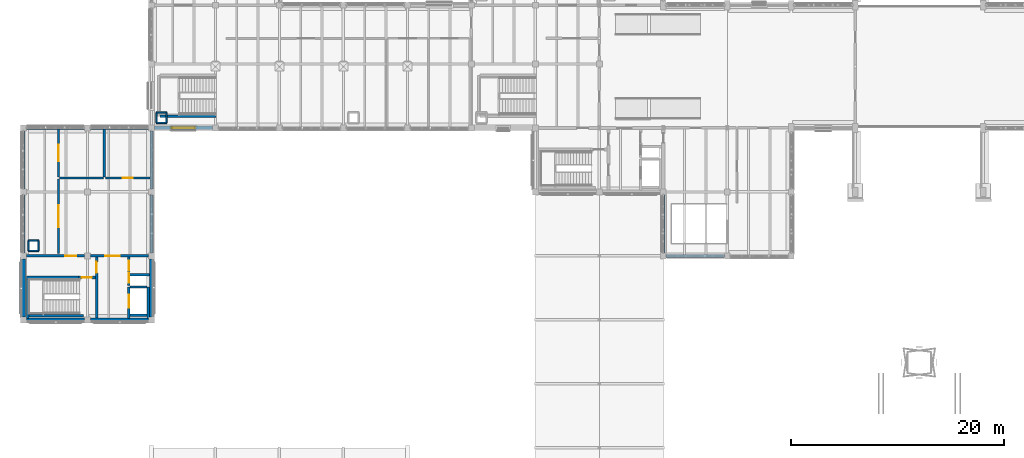
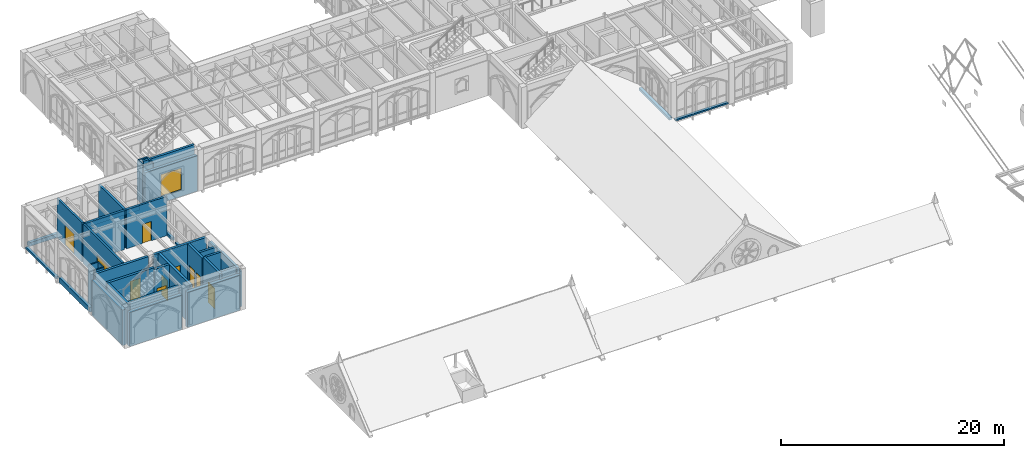
# One storey, part 74 of 108: 40 walls, 10 doors, 1 window, 11 openings.
"""IFC4 building model written with IfcOpenShell, lengths in metres."""

import ifcopenshell
import ifcopenshell.guid

model = None  # the IFC model being written
_history = None  # IfcOwnerHistory: only IFC2X3 demands one
_inside = {}  # id of a spatial element -> (the spatial element, [elements in it])
_under = {}  # id of a project, library or spatial element -> (it, [spatial elements below it])
_declared = {}  # id of a project -> (the project, [libraries it declares])
_typed = {}  # id of a type object -> (the type object, [elements of that type])
_made_of = {}  # id of a material, layer set ... -> (it, [elements and type objects made of it])


def new_model(schema):
    """Start an empty IFC model of exactly this schema.

    Asked for "IFC4X3", IfcOpenShell would pick the latest addendum, in which some entities
    have other attributes; the version numbers below select the first issue.
    IFC2X3 requires an IfcOwnerHistory on every rooted entity: one is made here for all.
    """
    global model, _history
    if schema == "IFC4X3":
        model = ifcopenshell.file(schema_version=(4, 3, 0, 0))
    else:
        model = ifcopenshell.file(schema=schema)
    _inside.clear()
    _under.clear()
    _declared.clear()
    _typed.clear()
    _made_of.clear()
    _history = None
    if model.schema == "IFC2X3":
        org = make("IfcOrganization", Name="unknown")
        user = make(
            "IfcPersonAndOrganization",
            ThePerson=make("IfcPerson", FamilyName="unknown"),
            TheOrganization=org,
        )
        app = make(
            "IfcApplication",
            ApplicationDeveloper=org,
            Version="unknown",
            ApplicationFullName="unknown",
            ApplicationIdentifier="unknown",
        )
        _history = make(
            "IfcOwnerHistory",
            OwningUser=user,
            OwningApplication=app,
            ChangeAction="ADDED",
            CreationDate=0,
        )
    return model


def make(cls, **values):
    """One entity of the class cls with the attributes given. An attribute that is None is left unset."""
    return model.create_entity(
        cls, **{name: value for name, value in values.items() if value is not None}
    )


def rooted(cls, **values):
    """An entity with a GlobalId (a new one), such as an element, a storey or a relation."""
    return make(cls, GlobalId=ifcopenshell.guid.new(), OwnerHistory=_history, **values)


def si_unit(unit_type, name, prefix=None):
    """IfcSIUnit, for example si_unit("LENGTHUNIT", "METRE", prefix="MILLI")."""
    return make("IfcSIUnit", UnitType=unit_type, Prefix=prefix, Name=name)


def assignment(units):
    """IfcUnitAssignment: the units of a project."""
    return None if units is None else make("IfcUnitAssignment", Units=units)


def point(xyz):
    """IfcCartesianPoint."""
    return None if xyz is None else make("IfcCartesianPoint", Coordinates=xyz)


def direction(xyz):
    """IfcDirection."""
    return None if xyz is None else make("IfcDirection", DirectionRatios=xyz)


def frame(location, z_axis=None, x_axis=None):
    """IfcAxis2Placement3D, a coordinate frame: its origin and axes. An axis left out is left unset."""
    return make(
        "IfcAxis2Placement3D",
        Location=point(location),
        Axis=direction(z_axis),
        RefDirection=direction(x_axis),
    )


def frame_2d(location, x_axis=None):
    """IfcAxis2Placement2D, a coordinate frame in the plane: its origin and x axis."""
    return make(
        "IfcAxis2Placement2D", Location=point(location), RefDirection=direction(x_axis)
    )


def origin():
    """The frame at (0, 0, 0) with its axes left unset."""
    return frame((0.0, 0.0, 0.0))


def place(relative_to, where):
    """IfcLocalPlacement: puts the frame where relative to a parent placement (None: the world)."""
    return make(
        "IfcLocalPlacement", PlacementRelTo=relative_to, RelativePlacement=where
    )


def context(
    kind, dimensions, precision=None, world=None, true_north=None, identifier=None
):
    """IfcGeometricRepresentationContext, for example the 3D "Model" context."""
    return make(
        "IfcGeometricRepresentationContext",
        ContextIdentifier=identifier,
        ContextType=kind,
        CoordinateSpaceDimension=dimensions,
        Precision=precision,
        WorldCoordinateSystem=world,
        TrueNorth=true_north,
    )


def subcontext(parent, identifier, kind, view, scale=None):
    """IfcGeometricRepresentationSubContext, for example "Body" below "Model"."""
    return make(
        "IfcGeometricRepresentationSubContext",
        ContextIdentifier=identifier,
        ContextType=kind,
        ParentContext=parent,
        TargetScale=scale,
        TargetView=view,
    )


def project(units=None, contexts=None):
    """IfcProject with its units and contexts."""
    return rooted(
        "IfcProject",
        Name="project",
        RepresentationContexts=contexts,
        UnitsInContext=assignment(units),
    )


def spatial(cls, under=None, at=None, **own):
    """A site, building, storey or space (cls), placed at a placement, below another one or the project."""
    s = rooted(cls, ObjectPlacement=at, **own)
    if under is not None:
        _under.setdefault(under.id(), (under, []))[1].append(s)
    return s


def profile(cls, at=None, kind="AREA", **sizes):
    """A parametric profile (cls). Its sizes go by their IFC names, for example OverallWidth=200.0."""
    return make(cls, ProfileType=kind, Position=at, **sizes)


def rectangle(**sizes):
    """IfcRectangleProfileDef."""
    return profile("IfcRectangleProfileDef", **sizes)


def extrude(swept, where, along, depth):
    """IfcExtrudedAreaSolid: the profile swept, set in the frame where, extruded along a direction by depth."""
    return make(
        "IfcExtrudedAreaSolid",
        SweptArea=swept,
        Position=where,
        ExtrudedDirection=direction(along),
        Depth=depth,
    )


def shape(context_of_items, identifier, shape_type, items):
    """IfcShapeRepresentation: the items that make up one representation, for example the "Body"."""
    return make(
        "IfcShapeRepresentation",
        ContextOfItems=context_of_items,
        RepresentationIdentifier=identifier,
        RepresentationType=shape_type,
        Items=items,
    )


def material(Name=None, Category=None):
    """IfcMaterial."""
    return make("IfcMaterial", Name=Name, Category=Category)


def layer(
    of_material, thickness, ventilated=None, Name=None, Category=None, Priority=None
):
    """IfcMaterialLayer: one layer of a wall or slab, of a material (None: an air gap)."""
    return make(
        "IfcMaterialLayer",
        Material=of_material,
        LayerThickness=thickness,
        IsVentilated=ventilated,
        Name=Name,
        Category=Category,
        Priority=Priority,
    )


def layer_set(layers, Name=None):
    """IfcMaterialLayerSet."""
    return make("IfcMaterialLayerSet", MaterialLayers=layers, LayerSetName=Name)


def made_of(thing, what):
    """Note that an element or type object is made of a material, layer set ...; save() writes the relation."""
    if what is not None:
        _made_of.setdefault(what.id(), (what, []))[1].append(thing)
    return thing


def type_object(cls, material=None, **own):
    """A type object (cls), such as IfcWallType, which elements share."""
    return made_of(rooted(cls, **own), material)


def element(
    cls,
    number,
    at=None,
    inside=None,
    cuts=None,
    type_object=None,
    material=None,
    context=None,
    identifier="Body",
    shape_type=None,
    held_by="IfcProductDefinitionShape",
    body=None,
    shapes=None,
    **own,
):
    """One element of the class cls, such as IfcWall. Its Tag is "e" and its number.

    at: its placement. inside: the storey or other place that contains it. cuts: it is an
    opening in that element (IfcRelVoidsElement). A single representation is given by context,
    identifier, shape_type and body (its items); several are given by shapes. held_by: the class
    of the entity that holds the representations. save() writes the other relations.
    """
    e = rooted(cls, Tag="e%d" % number, ObjectPlacement=at, **own)
    if body is not None:
        shapes = [shape(context, identifier, shape_type, body)]
    if shapes is not None:
        e.Representation = make(held_by, Representations=shapes)
    if inside is not None:
        _inside.setdefault(inside.id(), (inside, []))[1].append(e)
    if cuts is not None:
        rooted(
            "IfcRelVoidsElement", RelatingBuildingElement=cuts, RelatedOpeningElement=e
        )
    if type_object is not None:
        _typed.setdefault(type_object.id(), (type_object, []))[1].append(e)
    return made_of(e, material)


def fill(opening, filler):
    """IfcRelFillsElement: the door or window that sits in an opening."""
    return rooted(
        "IfcRelFillsElement",
        RelatingOpeningElement=opening,
        RelatedBuildingElement=filler,
    )


def aggregate(whole, parts):
    """IfcRelAggregates: a whole, such as a stair, and the parts it consists of."""
    return rooted("IfcRelAggregates", RelatingObject=whole, RelatedObjects=parts)


def save(model, path):
    """Write the relations noted so far, then the file.

    IfcRelAggregates (storeys below a building ...), IfcRelContainedInSpatialStructure (elements
    in a storey), IfcRelDefinesByType, IfcRelAssociatesMaterial and IfcRelDeclares: one each for
    every whole, place, type object, material and project.
    """
    for whole, parts in _under.values():
        aggregate(whole, parts)
    for where, things in _inside.values():
        rooted(
            "IfcRelContainedInSpatialStructure",
            RelatedElements=things,
            RelatingStructure=where,
        )
    for kind, things in _typed.values():
        rooted("IfcRelDefinesByType", RelatedObjects=things, RelatingType=kind)
    for what, things in _made_of.values():
        rooted("IfcRelAssociatesMaterial", RelatedObjects=things, RelatingMaterial=what)
    for by, libraries in _declared.values():
        rooted("IfcRelDeclares", RelatingContext=by, RelatedDefinitions=libraries)
    model.write(path)


model = new_model("IFC4")

# Units and contexts
model_context = context("Model", 3, precision=1e-05, world=origin(), true_north=direction((0.0, 1.0)))
body_context = subcontext(model_context, "Body", "Model", "MODEL_VIEW")
ifc_project = project(units=[si_unit("LENGTHUNIT", "METRE"), si_unit("AREAUNIT", "SQUARE_METRE"), si_unit("VOLUMEUNIT", "CUBIC_METRE"), si_unit("PLANEANGLEUNIT", "RADIAN"), si_unit("MASSUNIT", "GRAM", prefix="KILO")], contexts=[model_context])

# Site, building, storey
site_placement = place(None, origin())
site = spatial("IfcSite", under=ifc_project, at=site_placement, CompositionType="ELEMENT")
building_placement = place(site_placement, origin())
building = spatial("IfcBuilding", under=site, at=building_placement, Name="Cumevento Cable Car Station", CompositionType="ELEMENT")
storey_placement = place(building_placement, frame((0.0, 0.0, 13.5)))
storey = spatial("IfcBuildingStorey", under=building, at=storey_placement, Name="L04", CompositionType="ELEMENT", Elevation=13.5)

# Walls
ifc_material_1 = material(Name="Gnaisse Facoidal Stone Ashlar 85 MPa", Category="masonry")
ifc_layer_1 = layer(ifc_material_1, 0.294921875)
ifc_layer_set_1 = layer_set([ifc_layer_1], Name="Gnaisse Facoidal Stone Ashlar 85 MPa")
wall_type_1 = type_object("IfcWallType", Name="Exterior Envelope Wall EW-295 295", PredefinedType="SOLIDWALL", material=ifc_layer_set_1)
wall_1_placement = place(storey_placement, frame((75.72509765625, 33.0, 0.0), z_axis=(0.0, 0.0, 1.0), x_axis=(-1.0, 0.0, 0.0)))
element("IfcWall", 1, at=wall_1_placement, inside=storey, type_object=wall_type_1, Name="Exterior Sill Curb Wall EW-295 L04 #300", PredefinedType="SOLIDWALL", context=body_context, shape_type="SweptSolid", body=[
    extrude(rectangle(XDim=5.4501953125, YDim=0.294921875, at=frame_2d((2.72509765625, 0.0))), origin(), (0.0, 0.0, 1.0), 0.159912109375),
])
wall_2_placement = place(storey_placement, frame((70.0, 33.27490234375, 0.0), z_axis=(0.0, 0.0, 1.0), x_axis=(0.0, 1.0, 0.0)))
element("IfcWall", 2, at=wall_2_placement, inside=storey, type_object=wall_type_1, Name="Exterior Sill Curb Wall EW-295 L04 #302", PredefinedType="SOLIDWALL", context=body_context, shape_type="SweptSolid", body=[
    extrude(rectangle(XDim=5.4501953125, YDim=0.294921875, at=frame_2d((2.72509765625, 0.0))), origin(), (0.0, 0.0, 1.0), 0.260009765625),
])
wall_3_placement = place(storey_placement, frame((10.27490234375, 45.0, 0.0), z_axis=(0.0, 0.0, 1.0), x_axis=(1.0, 0.0, 0.0)))
element("IfcWall", 3, at=wall_3_placement, inside=storey, type_object=wall_type_1, Name="Exterior Sill Curb Wall EW-295 L04 #309", PredefinedType="SOLIDWALL", context=body_context, shape_type="SweptSolid", body=[
    extrude(rectangle(XDim=5.4501953125, YDim=0.294921875, at=frame_2d((2.72509765625, 0.0))), origin(), (0.0, 0.0, 1.0), 0.409912109375),
])
wall_4_placement = place(storey_placement, frame((16.27490234375, 45.0, 0.0), z_axis=(0.0, 0.0, 1.0), x_axis=(1.0, 0.0, 0.0)))
element("IfcWall", 4, at=wall_4_placement, inside=storey, type_object=wall_type_1, Name="Exterior Sill Curb Wall EW-295 L04 #310", PredefinedType="SOLIDWALL", context=body_context, shape_type="SweptSolid", body=[
    extrude(rectangle(XDim=5.4501953125, YDim=0.294921875, at=frame_2d((2.72509765625, 0.0))), origin(), (0.0, 0.0, 1.0), 0.4599609375),
])
wall_5_placement = place(storey_placement, frame((10.0, 33.27490234375, 0.0), z_axis=(0.0, 0.0, 1.0), x_axis=(0.0, 1.0, 0.0)))
element("IfcWall", 5, at=wall_5_placement, inside=storey, type_object=wall_type_1, Name="Exterior Sill Curb Wall EW-295 L04 #311", PredefinedType="SOLIDWALL", context=body_context, shape_type="SweptSolid", body=[
    extrude(rectangle(XDim=5.4501953125, YDim=0.294921875, at=frame_2d((2.72509765625, 0.0))), origin(), (0.0, 0.0, 1.0), 0.52001953125),
])
wall_6_placement = place(storey_placement, frame((22.0, 38.72509765625, 0.0), z_axis=(0.0, 0.0, 1.0), x_axis=(0.0, -1.0, 0.0)))
element("IfcWall", 6, at=wall_6_placement, inside=storey, type_object=wall_type_1, Name="Exterior Sill Curb Wall EW-295 L04 #312", PredefinedType="SOLIDWALL", context=body_context, shape_type="SweptSolid", body=[
    extrude(rectangle(XDim=5.4501953125, YDim=0.294921875, at=frame_2d((2.72509765625, 0.0))), origin(), (0.0, 0.0, 1.0), 0.159912109375),
])
wall_7_placement = place(storey_placement, frame((10.0, 39.27490234375, 0.0), z_axis=(0.0, 0.0, 1.0), x_axis=(0.0, 1.0, 0.0)))
element("IfcWall", 7, at=wall_7_placement, inside=storey, type_object=wall_type_1, Name="Exterior Sill Curb Wall EW-295 L04 #313", PredefinedType="SOLIDWALL", context=body_context, shape_type="SweptSolid", body=[
    extrude(rectangle(XDim=5.4501953125, YDim=0.294921875, at=frame_2d((2.72509765625, 0.0))), origin(), (0.0, 0.0, 1.0), 0.2099609375),
])
wall_8_placement = place(storey_placement, frame((22.0, 44.72509765625, 0.0), z_axis=(0.0, 0.0, 1.0), x_axis=(0.0, -1.0, 0.0)))
element("IfcWall", 8, at=wall_8_placement, inside=storey, type_object=wall_type_1, Name="Exterior Sill Curb Wall EW-295 L04 #314", PredefinedType="SOLIDWALL", context=body_context, shape_type="SweptSolid", body=[
    extrude(rectangle(XDim=5.4501953125, YDim=0.294921875, at=frame_2d((2.72509765625, 0.0))), origin(), (0.0, 0.0, 1.0), 0.260009765625),
])

# Wall, opening, window
ifc_material_2 = material(Name="Gnaisse Facoidal Stone Ashlar 85 MPa", Category="masonry")
ifc_layer_2 = layer(ifc_material_2, 0.31005859375)
ifc_layer_set_2 = layer_set([ifc_layer_2], Name="Gnaisse Facoidal Stone Ashlar 85 MPa")
wall_type_2 = type_object("IfcWallType", Name="Exterior Envelope Wall EW-310 310", PredefinedType="SOLIDWALL", material=ifc_layer_set_2)
wall_9_placement = place(storey_placement, frame((27.72509765625, 45.0, 0.0), z_axis=(0.0, 0.0, 1.0), x_axis=(-1.0, 0.0, 0.0)))
wall_9 = element("IfcWall", 9, at=wall_9_placement, inside=storey, type_object=wall_type_2, Name="Exterior Wall EW-310 L04 #315", PredefinedType="SOLIDWALL", context=body_context, shape_type="SweptSolid", body=[
    extrude(rectangle(XDim=5.4501953125, YDim=0.31005859375, at=frame_2d((2.72509765625, 0.0))), origin(), (0.0, 0.0, 1.0), 3.881103515625),
])
opening_1_placement = place(wall_9_placement, frame((1.64990234375, 0.0, 0.699951171875)))
opening_1 = element("IfcOpeningElement", 10, at=opening_1_placement, cuts=wall_9, Name="Opening WN-L04-086", PredefinedType="OPENING", context=body_context, shape_type="SweptSolid", body=[
    extrude(rectangle(XDim=2.14990234375, YDim=2.39990234375, at=frame_2d((1.074951171875, 1.199951171875))), frame((0.0, 0.1650390625, 0.0), z_axis=(0.0, -1.0, 0.0), x_axis=(1.0, 0.0, 0.0)), (0.0, 0.0, 1.0), 0.330078125),
])
ifc_material_3 = material(Name="Anodised Bronze Aluminium & Laminated Solar Glass", Category="aluminium")
window_type = type_object("IfcWindowType", Name="Lancet Window WN-14 2150x2400", PartitioningType="DOUBLE_PANEL_VERTICAL", PredefinedType="WINDOW", material=ifc_material_3)
window_placement = place(opening_1_placement, origin())
window = element("IfcWindow", 11, at=window_placement, inside=storey, type_object=window_type, Name="Lancet Window WN-L04-086 (WN-14)", OverallHeight=2.39990234375, OverallWidth=2.14990234375, PartitioningType="SINGLE_PANEL", PredefinedType="WINDOW", context=body_context, shape_type="SweptSolid", body=[
    extrude(rectangle(XDim=2.14990234375, YDim=2.39990234375, at=frame_2d((1.074951171875, 1.199951171875))), frame((0.0, 0.030029296875, 0.0), z_axis=(0.0, -1.0, 0.0), x_axis=(1.0, 0.0, 0.0)), (0.0, 0.0, 1.0), 0.06005859375),
])
fill(opening_1, window)

# Walls
ifc_material_4 = material(Name="Concrete C40/50", Category="concrete")
ifc_layer_3 = layer(ifc_material_4, 0.35498046875)
ifc_layer_set_3 = layer_set([ifc_layer_3], Name="Concrete C40/50")
wall_type_3 = type_object("IfcWallType", Name="Exterior Envelope Wall EW-355 355", PredefinedType="SOLIDWALL", material=ifc_layer_set_3)
wall_10_placement = place(storey_placement, frame((15.72509765625, 27.0, 0.0), z_axis=(0.0, 0.0, 1.0), x_axis=(-1.0, 0.0, 0.0)))
element("IfcWall", 12, at=wall_10_placement, inside=storey, type_object=wall_type_3, Name="Exterior Wall EW-355 L04 #305", PredefinedType="SOLIDWALL", context=body_context, shape_type="SweptSolid", body=[
    extrude(rectangle(XDim=5.4501953125, YDim=0.35498046875, at=frame_2d((2.72509765625, 0.0))), origin(), (0.0, 0.0, 1.0), 3.7490234375),
])
wall_11_placement = place(storey_placement, frame((21.72509765625, 27.0, 0.0), z_axis=(0.0, 0.0, 1.0), x_axis=(-1.0, 0.0, 0.0)))
element("IfcWall", 13, at=wall_11_placement, inside=storey, type_object=wall_type_3, Name="Exterior Wall EW-355 L04 #306", PredefinedType="SOLIDWALL", context=body_context, shape_type="SweptSolid", body=[
    extrude(rectangle(XDim=5.4501953125, YDim=0.35498046875, at=frame_2d((2.72509765625, 0.0))), origin(), (0.0, 0.0, 1.0), 3.8310546875),
])
for number, where, z_axis, x_axis, name in (
    (14, (10.0, 27.27490234375, 0.0), (0.0, 0.0, 1.0), (0.0, 1.0, 0.0), "Exterior Wall EW-355 L04 #307"),
    (15, (22.0, 32.72509765625, 0.0), (0.0, 0.0, 1.0), (0.0, -1.0, 0.0), "Exterior Wall EW-355 L04 #308"),
):
    element("IfcWall", number, at=place(storey_placement, frame(where, z_axis=z_axis, x_axis=x_axis)), inside=storey, type_object=wall_type_3, Name=name, PredefinedType="SOLIDWALL", context=body_context, shape_type="SweptSolid", body=[
        extrude(rectangle(XDim=5.4501953125, YDim=0.35498046875, at=frame_2d((2.72509765625, 0.0))), origin(), (0.0, 0.0, 1.0), 3.881103515625),
    ])
ifc_material_5 = material(Name="Gypsum Board & Insulated Stud Partition", Category="gypsum")
ifc_layer_4 = layer(ifc_material_5, 0.14501953125)
ifc_layer_set_4 = layer_set([ifc_layer_4], Name="Gypsum Board & Insulated Stud Partition")
wall_type_4 = type_object("IfcWallType", Name="Interior Partition PT-145 145", PredefinedType="PARTITIONING", material=ifc_layer_set_4)
for number, where, z_axis, x_axis, name in (
    (16, (10.469970703125, 33.469970703125, 0.0), (0.0, 0.0, 1.0), (1.0, 0.0, 0.0), "Interior Wall PT-145 L04 #41"),
    (17, (11.429931640625, 33.469970703125, 0.0), (0.0, 0.0, 1.0), (0.0, 1.0, 0.0), "Interior Wall PT-145 L04 #42"),
    (18, (11.429931640625, 34.429931640625, 0.0), (0.0, 0.0, 1.0), (-1.0, 0.0, 0.0), "Interior Wall PT-145 L04 #43"),
    (19, (10.469970703125, 34.429931640625, 0.0), (0.0, 0.0, 1.0), (0.0, -1.0, 0.0), "Interior Wall PT-145 L04 #44"),
    (20, (22.469970703125, 45.469970703125, 0.0), (0.0, 0.0, 1.0), (1.0, 0.0, 0.0), "Interior Wall PT-145 L04 #49"),
    (21, (23.429931640625, 45.469970703125, 0.0), (0.0, 0.0, 1.0), (0.0, 1.0, 0.0), "Interior Wall PT-145 L04 #50"),
    (22, (23.429931640625, 46.429931640625, 0.0), (0.0, 0.0, 1.0), (-1.0, 0.0, 0.0), "Interior Wall PT-145 L04 #51"),
    (23, (22.469970703125, 46.429931640625, 0.0), (0.0, 0.0, 1.0), (0.0, -1.0, 0.0), "Interior Wall PT-145 L04 #52"),
):
    element("IfcWall", number, at=place(storey_placement, frame(where, z_axis=z_axis, x_axis=x_axis)), inside=storey, type_object=wall_type_4, Name=name, PredefinedType="PARTITIONING", context=body_context, shape_type="SweptSolid", body=[
        extrude(rectangle(XDim=0.9599609375, YDim=0.14501953125, at=frame_2d((0.47998046875, 0.0))), origin(), (0.0, 0.0, 1.0), 4.2880859375),
    ])

# Wall, opening, door
ifc_material_6 = material(Name="Moisture-Resistant Tile & Stud Partition", Category="gypsum")
ifc_layer_5 = layer(ifc_material_6, 0.18505859375)
ifc_layer_set_5 = layer_set([ifc_layer_5], Name="Moisture-Resistant Tile & Stud Partition")
wall_type_5 = type_object("IfcWallType", Name="Interior Partition PT-185 185", PredefinedType="PARTITIONING", material=ifc_layer_set_5)
wall_12_placement = place(storey_placement, frame((13.300048828125, 33.199951171875, 0.0), z_axis=(0.0, 0.0, 1.0), x_axis=(0.0, 1.0, 0.0)))
wall_12 = element("IfcWall", 24, at=wall_12_placement, inside=storey, type_object=wall_type_5, Name="Interior Wall PT-185 L04 #692", PredefinedType="PARTITIONING", context=body_context, shape_type="SweptSolid", body=[
    extrude(rectangle(XDim=7.0, YDim=0.18505859375, at=frame_2d((3.5, 0.0))), origin(), (0.0, 0.0, 1.0), 4.2880859375),
])
opening_2_placement = place(wall_12_placement, frame((2.4599609375, 0.0, 0.0)))
opening_2 = element("IfcOpeningElement", 25, at=opening_2_placement, cuts=wall_12, Name="Opening DR-L04-278", PredefinedType="OPENING", context=body_context, shape_type="SweptSolid", body=[
    extrude(rectangle(XDim=2.080078125, YDim=2.360107421875, at=frame_2d((1.0400390625, 1.18017578125))), frame((0.0, 0.1025390625, 0.0), z_axis=(0.0, -1.0, 0.0), x_axis=(1.0, 0.0, 0.0)), (0.0, 0.0, 1.0), 0.205078125),
])
ifc_material_7 = material(Name="Anodised Bronze Aluminium Glazed Door", Category="aluminium")
door_type_1 = type_object("IfcDoorType", Name="Interior Door ID-15 2080x2360", OperationType="NOTDEFINED", PredefinedType="DOOR", material=ifc_material_7)
door_1_placement = place(opening_2_placement, origin())
door_1 = element("IfcDoor", 26, at=door_1_placement, inside=storey, type_object=door_type_1, Name="Interior Door DR-L04-278 (ID-15)", OperationType="DOUBLE_DOOR_SINGLE_SWING", OverallHeight=2.360107421875, OverallWidth=2.080078125, PredefinedType="DOOR", context=body_context, shape_type="SweptSolid", body=[
    extrude(rectangle(XDim=2.080078125, YDim=2.360107421875, at=frame_2d((1.0400390625, 1.18017578125))), frame((0.0, 0.02490234375, 0.0), z_axis=(0.0, -1.0, 0.0), x_axis=(1.0, 0.0, 0.0)), (0.0, 0.0, 1.0), 0.050048828125),
])
fill(opening_2, door_1)

ifc_material_8 = material(Name="Acoustic Double-Stud Partition", Category="gypsum")
ifc_layer_6 = layer(ifc_material_8, 0.195068359375)
ifc_layer_set_6 = layer_set([ifc_layer_6], Name="Acoustic Double-Stud Partition")
wall_type_6 = type_object("IfcWallType", Name="Interior Partition PT-195 195", PredefinedType="PARTITIONING", material=ifc_layer_set_6)
wall_13_placement = place(storey_placement, frame((13.300048828125, 40.39990234375, 0.0), z_axis=(0.0, 0.0, 1.0), x_axis=(0.0, 1.0, 0.0)))
wall_13 = element("IfcWall", 27, at=wall_13_placement, inside=storey, type_object=wall_type_6, Name="Interior Wall PT-195 L04 #693", PredefinedType="PARTITIONING", context=body_context, shape_type="SweptSolid", body=[
    extrude(rectangle(XDim=4.503173828125, YDim=0.195068359375, at=frame_2d((2.25146484375, 0.0))), origin(), (0.0, 0.0, 1.0), 4.2880859375),
])
opening_3_placement = place(wall_13_placement, frame((1.46142578125, 0.0, 0.0)))
opening_3 = element("IfcOpeningElement", 28, at=opening_3_placement, cuts=wall_13, Name="Opening DR-L04-279", PredefinedType="OPENING", context=body_context, shape_type="SweptSolid", body=[
    extrude(rectangle(XDim=1.580078125, YDim=2.199951171875, at=frame_2d((0.7900390625, 1.10009765625))), frame((0.0, 0.107666015625, 0.0), z_axis=(0.0, -1.0, 0.0), x_axis=(1.0, 0.0, 0.0)), (0.0, 0.0, 1.0), 0.215087890625),
])
ifc_material_9 = material(Name="Galvanised Painted Steel Fire Door", Category="steel")
door_type_2 = type_object("IfcDoorType", Name="Interior Door FD-06 1580x2200", OperationType="NOTDEFINED", PredefinedType="DOOR", material=ifc_material_9)
door_2_placement = place(opening_3_placement, origin())
door_2 = element("IfcDoor", 29, at=door_2_placement, inside=storey, type_object=door_type_2, Name="Interior Door DR-L04-279 (FD-06)", OperationType="DOUBLE_DOOR_SINGLE_SWING", OverallHeight=2.199951171875, OverallWidth=1.580078125, PredefinedType="DOOR", context=body_context, shape_type="SweptSolid", body=[
    extrude(rectangle(XDim=1.580078125, YDim=2.199951171875, at=frame_2d((0.7900390625, 1.10009765625))), frame((0.0, 0.02490234375, 0.0), z_axis=(0.0, -1.0, 0.0), x_axis=(1.0, 0.0, 0.0)), (0.0, 0.0, 1.0), 0.050048828125),
])
fill(opening_3, door_2)

# Wall
ifc_material_10 = material(Name="Acoustic Double-Stud Partition", Category="gypsum")
ifc_layer_7 = layer(ifc_material_10, 0.205078125)
ifc_layer_set_7 = layer_set([ifc_layer_7], Name="Acoustic Double-Stud Partition")
wall_type_7 = type_object("IfcWallType", Name="Interior Partition PT-205 205", PredefinedType="PARTITIONING", material=ifc_layer_set_7)
wall_14_placement = place(storey_placement, frame((13.39990234375, 40.300048828125, 0.0), z_axis=(0.0, 0.0, 1.0), x_axis=(1.0, 0.0, 0.0)))
element("IfcWall", 30, at=wall_14_placement, inside=storey, type_object=wall_type_7, Name="Interior Wall PT-205 L04 #694", PredefinedType="PARTITIONING", context=body_context, shape_type="SweptSolid", body=[
    extrude(rectangle(XDim=4.10009765625, YDim=0.205078125, at=frame_2d((2.050048828125, 0.0))), origin(), (0.0, 0.0, 1.0), 4.2880859375),
])

# Wall, opening, door
ifc_material_11 = material(Name="Acoustic Double-Stud Partition", Category="gypsum")
ifc_layer_8 = layer(ifc_material_11, 0.218017578125)
ifc_layer_set_8 = layer_set([ifc_layer_8], Name="Acoustic Double-Stud Partition")
wall_type_8 = type_object("IfcWallType", Name="Interior Partition PT-218 218", PredefinedType="PARTITIONING", material=ifc_layer_set_8)
wall_15_placement = place(storey_placement, frame((17.699951171875, 40.300048828125, 0.0), z_axis=(0.0, 0.0, 1.0), x_axis=(1.0, 0.0, 0.0)))
wall_15 = element("IfcWall", 31, at=wall_15_placement, inside=storey, type_object=wall_type_8, Name="Interior Wall PT-218 L04 #695", PredefinedType="PARTITIONING", context=body_context, shape_type="SweptSolid", body=[
    extrude(rectangle(XDim=4.18798828125, YDim=0.218017578125, at=frame_2d((2.093994140625, 0.0))), origin(), (0.0, 0.0, 1.0), 4.2880859375),
])
opening_4_placement = place(wall_15_placement, frame((1.6240234375, 0.0, 0.0)))
opening_4 = element("IfcOpeningElement", 32, at=opening_4_placement, cuts=wall_15, Name="Opening DR-L04-300", PredefinedType="OPENING", context=body_context, shape_type="SweptSolid", body=[
    extrude(rectangle(XDim=0.93994140625, YDim=2.10009765625, at=frame_2d((0.469970703125, 1.050048828125))), frame((0.0, 0.118896484375, 0.0), z_axis=(0.0, -1.0, 0.0), x_axis=(1.0, 0.0, 0.0)), (0.0, 0.0, 1.0), 0.238037109375),
])
ifc_material_12 = material(Name="Galvanised Painted Steel Fire Door", Category="steel")
door_type_3 = type_object("IfcDoorType", Name="Interior Door FD-08 940x2100", OperationType="NOTDEFINED", PredefinedType="DOOR", material=ifc_material_12)
door_3_placement = place(opening_4_placement, origin())
door_3 = element("IfcDoor", 33, at=door_3_placement, inside=storey, type_object=door_type_3, Name="Interior Door DR-L04-300 (FD-08)", OperationType="SINGLE_SWING_LEFT", OverallHeight=2.10009765625, OverallWidth=0.93994140625, PredefinedType="DOOR", context=body_context, shape_type="SweptSolid", body=[
    extrude(rectangle(XDim=0.93994140625, YDim=2.10009765625, at=frame_2d((0.469970703125, 1.050048828125))), frame((0.0, 0.02490234375, 0.0), z_axis=(0.0, -1.0, 0.0), x_axis=(1.0, 0.0, 0.0)), (0.0, 0.0, 1.0), 0.050048828125),
])
fill(opening_4, door_3)

# Walls
ifc_material_13 = material(Name="Acoustic Masonry Block Partition", Category="masonry")
ifc_layer_9 = layer(ifc_material_13, 0.23193359375)
ifc_layer_set_9 = layer_set([ifc_layer_9], Name="Acoustic Masonry Block Partition")
wall_type_9 = type_object("IfcWallType", Name="Interior Partition PT-232 232", PredefinedType="PARTITIONING", material=ifc_layer_set_9)
wall_16_placement = place(storey_placement, frame((17.60009765625, 40.39990234375, 0.0), z_axis=(0.0, 0.0, 1.0), x_axis=(0.0, 1.0, 0.0)))
element("IfcWall", 34, at=wall_16_placement, inside=storey, type_object=wall_type_9, Name="Interior Wall PT-232 L04 #696", PredefinedType="PARTITIONING", context=body_context, shape_type="SweptSolid", body=[
    extrude(rectangle(XDim=4.5, YDim=0.23193359375, at=frame_2d((2.25, 0.0))), origin(), (0.0, 0.0, 1.0), 4.2880859375),
])
ifc_material_14 = material(Name="Concrete C40/50", Category="concrete")
ifc_layer_10 = layer(ifc_material_14, 0.22998046875)
ifc_layer_set_10 = layer_set([ifc_layer_10], Name="Concrete C40/50")
wall_type_10 = type_object("IfcWallType", Name="Interior Shear Wall CW-230 230", PredefinedType="SHEAR", material=ifc_layer_set_10)
wall_17_placement = place(storey_placement, frame((10.405029296875, 27.114990234375, 0.0), z_axis=(0.0, 0.0, 1.0), x_axis=(0.0, 1.0, 0.0)))
element("IfcWall", 35, at=wall_17_placement, inside=storey, type_object=wall_type_10, Name="Interior Wall CW-230 L04 #314", PredefinedType="SHEAR", context=body_context, shape_type="SweptSolid", body=[
    extrude(rectangle(XDim=3.735107421875, YDim=0.22998046875, at=frame_2d((1.86767578125, 0.0))), origin(), (0.0, 0.0, 1.0), 4.5),
])
wall_18_placement = place(storey_placement, frame((10.52001953125, 27.405029296875, 0.0), z_axis=(0.0, 0.0, 1.0), x_axis=(1.0, 0.0, 0.0)))
element("IfcWall", 36, at=wall_18_placement, inside=storey, type_object=wall_type_10, Name="Interior Wall CW-230 L04 #315", PredefinedType="SHEAR", context=body_context, shape_type="SweptSolid", body=[
    extrude(rectangle(XDim=5.1298828125, YDim=0.22998046875, at=frame_2d((2.56494140625, 0.0))), origin(), (0.0, 0.0, 1.0), 4.5),
])
wall_19_placement = place(storey_placement, frame((20.0048828125, 27.419921875, 0.0), z_axis=(0.0, 0.0, 1.0), x_axis=(1.0, 0.0, 0.0)))
element("IfcWall", 37, at=wall_19_placement, inside=storey, type_object=wall_type_10, Name="Interior Wall CW-230 L04 #320", PredefinedType="SHEAR", context=body_context, shape_type="SweptSolid", body=[
    extrude(rectangle(XDim=1.580078125, YDim=0.22998046875, at=frame_2d((0.7900390625, 0.0))), origin(), (0.0, 0.0, 1.0), 4.5),
])
wall_20_placement = place(storey_placement, frame((21.699951171875, 27.114990234375, 0.0), z_axis=(0.0, 0.0, 1.0), x_axis=(0.0, 1.0, 0.0)))
element("IfcWall", 38, at=wall_20_placement, inside=storey, type_object=wall_type_10, Name="Interior Wall CW-230 L04 #321", PredefinedType="SHEAR", context=body_context, shape_type="SweptSolid", body=[
    extrude(rectangle(XDim=2.965087890625, YDim=0.22998046875, at=frame_2d((1.482421875, 0.0))), origin(), (0.0, 0.0, 1.0), 4.5),
])
wall_21_placement = place(storey_placement, frame((20.0048828125, 30.080078125, 0.0), z_axis=(0.0, 0.0, 1.0), x_axis=(1.0, 0.0, 0.0)))
element("IfcWall", 39, at=wall_21_placement, inside=storey, type_object=wall_type_10, Name="Interior Wall CW-230 L04 #322", PredefinedType="SHEAR", context=body_context, shape_type="SweptSolid", body=[
    extrude(rectangle(XDim=1.580078125, YDim=0.22998046875, at=frame_2d((0.7900390625, 0.0))), origin(), (0.0, 0.0, 1.0), 4.5),
])
wall_22_placement = place(storey_placement, frame((20.0048828125, 31.219970703125, 0.0), z_axis=(0.0, 0.0, 1.0), x_axis=(1.0, 0.0, 0.0)))
element("IfcWall", 40, at=wall_22_placement, inside=storey, type_object=wall_type_10, Name="Interior Wall CW-230 L04 #324", PredefinedType="SHEAR", context=body_context, shape_type="SweptSolid", body=[
    extrude(rectangle(XDim=1.820068359375, YDim=0.22998046875, at=frame_2d((0.91015625, 0.0))), origin(), (0.0, 0.0, 1.0), 4.2880859375),
])
wall_23_placement = place(storey_placement, frame((22.800048828125, 46.080078125, 0.0), z_axis=(0.0, 0.0, 1.0), x_axis=(1.0, 0.0, 0.0)))
element("IfcWall", 41, at=wall_23_placement, inside=storey, type_object=wall_type_10, Name="Interior Wall CW-230 L04 #540", PredefinedType="SHEAR", context=body_context, shape_type="SweptSolid", body=[
    extrude(rectangle(XDim=5.239990234375, YDim=0.22998046875, at=frame_2d((2.6201171875, 0.0))), origin(), (0.0, 0.0, 1.0), 4.2880859375),
])

# Wall, opening, door
ifc_material_15 = material(Name="Concrete C40/50", Category="concrete")
ifc_layer_11 = layer(ifc_material_15, 0.25)
ifc_layer_set_11 = layer_set([ifc_layer_11], Name="Concrete C40/50")
wall_type_11 = type_object("IfcWallType", Name="Interior Shear Wall CW-250 250", PredefinedType="SHEAR", material=ifc_layer_set_11)
wall_24_placement = place(storey_placement, frame((10.27490234375, 33.0, 0.0), z_axis=(0.0, 0.0, 1.0), x_axis=(1.0, 0.0, 0.0)))
wall_24 = element("IfcWall", 42, at=wall_24_placement, inside=storey, type_object=wall_type_11, Name="Interior Wall CW-250 L04 #312", PredefinedType="SHEAR", context=body_context, shape_type="SweptSolid", body=[
    extrude(rectangle(XDim=5.4501953125, YDim=0.25, at=frame_2d((2.72509765625, 0.0))), origin(), (0.0, 0.0, 1.0), 4.2880859375),
])
opening_5_placement = place(wall_24_placement, frame((3.655029296875, 0.0, 0.0)))
opening_5 = element("IfcOpeningElement", 43, at=opening_5_placement, cuts=wall_24, Name="Opening DR-L04-086", PredefinedType="OPENING", context=body_context, shape_type="SweptSolid", body=[
    extrude(rectangle(XDim=1.0400390625, YDim=2.139892578125, at=frame_2d((0.52001953125, 1.06982421875))), frame((0.0, 0.135009765625, 0.0), z_axis=(0.0, -1.0, 0.0), x_axis=(1.0, 0.0, 0.0)), (0.0, 0.0, 1.0), 0.27001953125),
])
ifc_material_16 = material(Name="Galvanised Painted Steel Fire Door", Category="steel")
door_type_4 = type_object("IfcDoorType", Name="Interior Door FD-02 1040x2140", OperationType="NOTDEFINED", PredefinedType="DOOR", material=ifc_material_16)
door_4_placement = place(opening_5_placement, origin())
door_4 = element("IfcDoor", 44, at=door_4_placement, inside=storey, type_object=door_type_4, Name="Core CORE3 N_vest Fire Door L04", OperationType="SINGLE_SWING_RIGHT", OverallHeight=2.139892578125, OverallWidth=1.0400390625, PredefinedType="DOOR", context=body_context, shape_type="SweptSolid", body=[
    extrude(rectangle(XDim=1.0400390625, YDim=2.139892578125, at=frame_2d((0.52001953125, 1.06982421875))), frame((0.0, 0.02490234375, 0.0), z_axis=(0.0, -1.0, 0.0), x_axis=(1.0, 0.0, 0.0)), (0.0, 0.0, 1.0), 0.050048828125),
])
fill(opening_5, door_4)

wall_25_placement = place(storey_placement, frame((16.27490234375, 33.0, 0.0), z_axis=(0.0, 0.0, 1.0), x_axis=(1.0, 0.0, 0.0)))
wall_25 = element("IfcWall", 45, at=wall_25_placement, inside=storey, type_object=wall_type_11, Name="Interior Wall CW-250 L04 #313", PredefinedType="SHEAR", context=body_context, shape_type="SweptSolid", body=[
    extrude(rectangle(XDim=5.4501953125, YDim=0.25, at=frame_2d((2.72509765625, 0.0))), origin(), (0.0, 0.0, 1.0), 4.2880859375),
])
opening_6_placement = place(wall_25_placement, frame((1.385009765625, 0.0, 0.0)))
opening_6 = element("IfcOpeningElement", 46, at=opening_6_placement, cuts=wall_25, Name="Opening DR-L04-087", PredefinedType="OPENING", context=body_context, shape_type="SweptSolid", body=[
    extrude(rectangle(XDim=1.3798828125, YDim=2.159912109375, at=frame_2d((0.68994140625, 1.080078125))), frame((0.0, 0.135009765625, 0.0), z_axis=(0.0, -1.0, 0.0), x_axis=(1.0, 0.0, 0.0)), (0.0, 0.0, 1.0), 0.27001953125),
])
ifc_material_17 = material(Name="Galvanised Painted Steel Fire Door", Category="steel")
door_type_5 = type_object("IfcDoorType", Name="Interior Door FD-04 1380x2160", OperationType="NOTDEFINED", PredefinedType="DOOR", material=ifc_material_17)
door_5_placement = place(opening_6_placement, origin())
door_5 = element("IfcDoor", 47, at=door_5_placement, inside=storey, type_object=door_type_5, Name="Core CORE3 N_lobby Fire Door L04", OperationType="DOUBLE_DOOR_SINGLE_SWING", OverallHeight=2.159912109375, OverallWidth=1.3798828125, PredefinedType="DOOR", context=body_context, shape_type="SweptSolid", body=[
    extrude(rectangle(XDim=1.3798828125, YDim=2.159912109375, at=frame_2d((0.68994140625, 1.080078125))), frame((0.0, 0.02490234375, 0.0), z_axis=(0.0, -1.0, 0.0), x_axis=(1.0, 0.0, 0.0)), (0.0, 0.0, 1.0), 0.050048828125),
])
fill(opening_6, door_5)

# Wall
wall_26_placement = place(storey_placement, frame((10.2900390625, 30.97509765625, 0.0), z_axis=(0.0, 0.0, 1.0), x_axis=(1.0, 0.0, 0.0)))
element("IfcWall", 48, at=wall_26_placement, inside=storey, type_object=wall_type_11, Name="Interior Wall CW-250 L04 #316", PredefinedType="SHEAR", context=body_context, shape_type="SweptSolid", body=[
    extrude(rectangle(XDim=4.869873046875, YDim=0.25, at=frame_2d((2.43505859375, 0.0))), origin(), (0.0, 0.0, 1.0), 4.5),
])

# Wall, opening, door
wall_27_placement = place(storey_placement, frame((15.159912109375, 30.97509765625, 0.0), z_axis=(0.0, 0.0, 1.0), x_axis=(1.0, 0.0, 0.0)))
wall_27 = element("IfcWall", 49, at=wall_27_placement, inside=storey, type_object=wall_type_11, Name="Interior Wall CW-250 L04 #317", PredefinedType="SHEAR", context=body_context, shape_type="SweptSolid", body=[
    extrude(rectangle(XDim=1.580078125, YDim=0.25, at=frame_2d((0.7900390625, 0.0))), origin(), (0.0, 0.0, 1.0), 4.2880859375),
])
opening_7_placement = place(wall_27_placement, frame((0.31005859375, 0.0, 0.0)))
opening_7 = element("IfcOpeningElement", 50, at=opening_7_placement, cuts=wall_27, Name="Opening DR-L04-088", PredefinedType="OPENING", context=body_context, shape_type="SweptSolid", body=[
    extrude(rectangle(XDim=0.9599609375, YDim=2.1201171875, at=frame_2d((0.47998046875, 1.06005859375))), frame((0.0, 0.135009765625, 0.0), z_axis=(0.0, -1.0, 0.0), x_axis=(1.0, 0.0, 0.0)), (0.0, 0.0, 1.0), 0.27001953125),
])
ifc_material_18 = material(Name="Galvanised Painted Steel Fire Door", Category="steel")
door_type_6 = type_object("IfcDoorType", Name="Interior Door FD-01 960x2120", OperationType="NOTDEFINED", PredefinedType="DOOR", material=ifc_material_18)
door_6_placement = place(opening_7_placement, origin())
door_6 = element("IfcDoor", 51, at=door_6_placement, inside=storey, type_object=door_type_6, Name="Stair ST-03 Enclosure Door L04", OperationType="SINGLE_SWING_LEFT", OverallHeight=2.1201171875, OverallWidth=0.9599609375, PredefinedType="DOOR", context=body_context, shape_type="SweptSolid", body=[
    extrude(rectangle(XDim=0.9599609375, YDim=2.1201171875, at=frame_2d((0.47998046875, 1.06005859375))), frame((0.0, 0.02490234375, 0.0), z_axis=(0.0, -1.0, 0.0), x_axis=(1.0, 0.0, 0.0)), (0.0, 0.0, 1.0), 0.050048828125),
])
fill(opening_7, door_6)

wall_28_placement = place(storey_placement, frame((16.864990234375, 27.175048828125, 0.0), z_axis=(0.0, 0.0, 1.0), x_axis=(0.0, 1.0, 0.0)))
wall_28 = element("IfcWall", 52, at=wall_28_placement, inside=storey, type_object=wall_type_11, Name="Interior Wall CW-250 L04 #318", PredefinedType="SHEAR", context=body_context, shape_type="SweptSolid", body=[
    extrude(rectangle(XDim=5.699951171875, YDim=0.25, at=frame_2d((2.85009765625, 0.0))), origin(), (0.0, 0.0, 1.0), 4.2880859375),
])
opening_8_placement = place(wall_28_placement, frame((4.22509765625, 0.0, 0.0)))
opening_8 = element("IfcOpeningElement", 53, at=opening_8_placement, cuts=wall_28, Name="Opening DR-L04-089", PredefinedType="OPENING", context=body_context, shape_type="SweptSolid", body=[
    extrude(rectangle(XDim=1.0400390625, YDim=2.139892578125, at=frame_2d((0.52001953125, 1.06982421875))), frame((0.0, 0.135009765625, 0.0), z_axis=(0.0, -1.0, 0.0), x_axis=(1.0, 0.0, 0.0)), (0.0, 0.0, 1.0), 0.27001953125),
])
door_7_placement = place(opening_8_placement, origin())
door_7 = element("IfcDoor", 54, at=door_7_placement, inside=storey, type_object=door_type_4, Name="Lobby Vestibule Door CORE3 L04", OperationType="SINGLE_SWING_RIGHT", OverallHeight=2.139892578125, OverallWidth=1.0400390625, PredefinedType="DOOR", context=body_context, shape_type="SweptSolid", body=[
    extrude(rectangle(XDim=1.0400390625, YDim=2.139892578125, at=frame_2d((0.52001953125, 1.06982421875))), frame((0.0, 0.02490234375, 0.0), z_axis=(0.0, -1.0, 0.0), x_axis=(1.0, 0.0, 0.0)), (0.0, 0.0, 1.0), 0.050048828125),
])
fill(opening_8, door_7)

wall_29_placement = place(storey_placement, frame((19.8798828125, 27.114990234375, 0.0), z_axis=(0.0, 0.0, 1.0), x_axis=(0.0, 1.0, 0.0)))
wall_29 = element("IfcWall", 55, at=wall_29_placement, inside=storey, type_object=wall_type_11, Name="Interior Wall CW-250 L04 #319", PredefinedType="SHEAR", context=body_context, shape_type="SweptSolid", body=[
    extrude(rectangle(XDim=2.965087890625, YDim=0.25, at=frame_2d((1.482421875, 0.0))), origin(), (0.0, 0.0, 1.0), 4.5),
])
opening_9_placement = place(wall_29_placement, frame((1.014892578125, 0.0, 0.0)))
opening_9 = element("IfcOpeningElement", 56, at=opening_9_placement, cuts=wall_29, Name="Opening LD-LF03-L04", PredefinedType="OPENING", context=body_context, shape_type="SweptSolid", body=[
    extrude(rectangle(XDim=1.239990234375, YDim=2.199951171875, at=frame_2d((0.6201171875, 1.10009765625))), frame((0.0, 0.135009765625, 0.0), z_axis=(0.0, -1.0, 0.0), x_axis=(1.0, 0.0, 0.0)), (0.0, 0.0, 1.0), 0.27001953125),
])
ifc_material_19 = material(Name="Brushed Stainless Steel Lift Door", Category="steel")
door_type_7 = type_object("IfcDoorType", Name="Interior Door LD-03 1240x2200", OperationType="NOTDEFINED", PredefinedType="DOOR", material=ifc_material_19)
door_8_placement = place(opening_9_placement, origin())
door_8 = element("IfcDoor", 57, at=door_8_placement, inside=storey, type_object=door_type_7, Name="Lift Landing Door LD-LF03-L04", OperationType="SLIDING_TO_LEFT", OverallHeight=2.199951171875, OverallWidth=1.239990234375, PredefinedType="DOOR", context=body_context, shape_type="SweptSolid", body=[
    extrude(rectangle(XDim=1.239990234375, YDim=2.199951171875, at=frame_2d((0.6201171875, 1.10009765625))), frame((0.0, 0.02490234375, 0.0), z_axis=(0.0, -1.0, 0.0), x_axis=(1.0, 0.0, 0.0)), (0.0, 0.0, 1.0), 0.050048828125),
])
fill(opening_9, door_8)

# Wall, openings, doors
wall_30_placement = place(storey_placement, frame((19.8798828125, 30.199951171875, 0.0), z_axis=(0.0, 0.0, 1.0), x_axis=(0.0, 1.0, 0.0)))
wall_30 = element("IfcWall", 58, at=wall_30_placement, inside=storey, type_object=wall_type_11, Name="Interior Wall CW-250 L04 #323", PredefinedType="SHEAR", context=body_context, shape_type="SweptSolid", body=[
    extrude(rectangle(XDim=2.675048828125, YDim=0.25, at=frame_2d((1.33740234375, 0.0))), origin(), (0.0, 0.0, 1.0), 4.2880859375),
])
opening_10_placement = place(wall_30_placement, frame((0.280029296875, 0.0, 0.0)))
opening_10 = element("IfcOpeningElement", 59, at=opening_10_placement, cuts=wall_30, Name="Opening DR-L04-091", PredefinedType="OPENING", context=body_context, shape_type="SweptSolid", body=[
    extrude(rectangle(XDim=0.8798828125, YDim=2.080078125, at=frame_2d((0.43994140625, 1.0400390625))), frame((0.0, 0.135009765625, 0.0), z_axis=(0.0, -1.0, 0.0), x_axis=(1.0, 0.0, 0.0)), (0.0, 0.0, 1.0), 0.27001953125),
])
opening_11_placement = place(wall_30_placement, frame((1.39990234375, 0.0, 0.0)))
opening_11 = element("IfcOpeningElement", 60, at=opening_11_placement, cuts=wall_30, Name="Opening DR-L04-092", PredefinedType="OPENING", context=body_context, shape_type="SweptSolid", body=[
    extrude(rectangle(XDim=0.9599609375, YDim=2.1201171875, at=frame_2d((0.47998046875, 1.06005859375))), frame((0.0, 0.135009765625, 0.0), z_axis=(0.0, -1.0, 0.0), x_axis=(1.0, 0.0, 0.0)), (0.0, 0.0, 1.0), 0.27001953125),
])
door_9_placement = place(opening_11_placement, origin())
door_9 = element("IfcDoor", 61, at=door_9_placement, inside=storey, type_object=door_type_6, Name="East Vestibule Lobby Door CORE3 L04", OperationType="SINGLE_SWING_RIGHT", OverallHeight=2.1201171875, OverallWidth=0.9599609375, PredefinedType="DOOR", context=body_context, shape_type="SweptSolid", body=[
    extrude(rectangle(XDim=0.9599609375, YDim=2.1201171875, at=frame_2d((0.47998046875, 1.06005859375))), frame((0.0, 0.02490234375, 0.0), z_axis=(0.0, -1.0, 0.0), x_axis=(1.0, 0.0, 0.0)), (0.0, 0.0, 1.0), 0.050048828125),
])
fill(opening_11, door_9)
ifc_material_20 = material(Name="Galvanised Painted Steel Fire Door", Category="steel")
door_type_8 = type_object("IfcDoorType", Name="Interior Door FD-07 880x2080", OperationType="NOTDEFINED", PredefinedType="DOOR", material=ifc_material_20)
door_10_placement = place(opening_10_placement, origin())
door_10 = element("IfcDoor", 62, at=door_10_placement, inside=storey, type_object=door_type_8, Name="MEP Riser Access Door CORE3 L04", OperationType="SINGLE_SWING_LEFT", OverallHeight=2.080078125, OverallWidth=0.8798828125, PredefinedType="DOOR", context=body_context, shape_type="SweptSolid", body=[
    extrude(rectangle(XDim=0.8798828125, YDim=2.080078125, at=frame_2d((0.43994140625, 1.0400390625))), frame((0.0, 0.02490234375, 0.0), z_axis=(0.0, -1.0, 0.0), x_axis=(1.0, 0.0, 0.0)), (0.0, 0.0, 1.0), 0.050048828125),
])
fill(opening_10, door_10)

save(model, "model.ifc")
